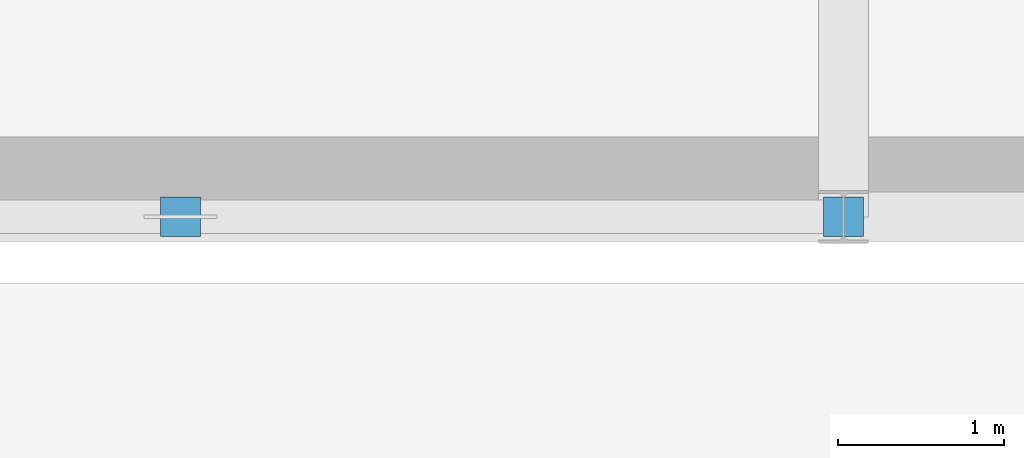
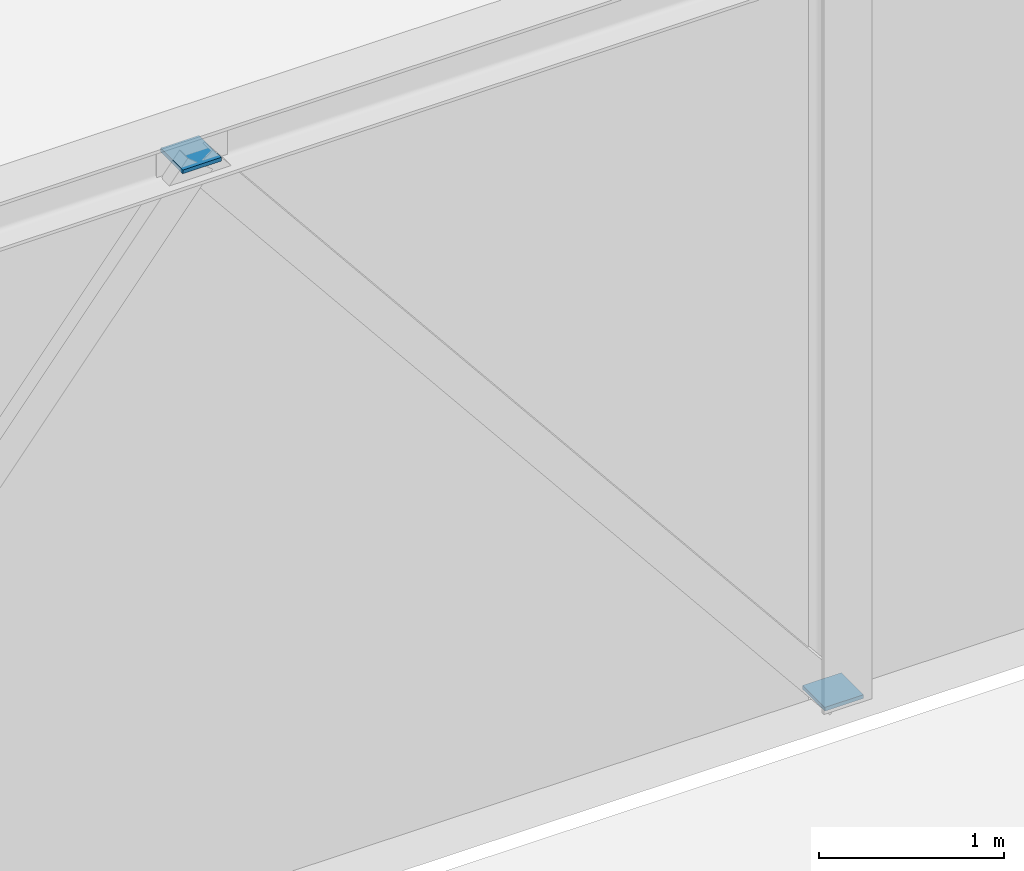
# One storey, part 107 of 129: 2 discrete accessories.
"""IFC4 building model written with IfcOpenShell, lengths in metres."""

import ifcopenshell
import ifcopenshell.guid

model = None  # the IFC model being written
_history = None  # IfcOwnerHistory: only IFC2X3 demands one
_inside = {}  # id of a spatial element -> (the spatial element, [elements in it])
_under = {}  # id of a project, library or spatial element -> (it, [spatial elements below it])
_declared = {}  # id of a project -> (the project, [libraries it declares])
_typed = {}  # id of a type object -> (the type object, [elements of that type])
_made_of = {}  # id of a material, layer set ... -> (it, [elements and type objects made of it])


def new_model(schema):
    """Start an empty IFC model of exactly this schema.

    Asked for "IFC4X3", IfcOpenShell would pick the latest addendum, in which some entities
    have other attributes; the version numbers below select the first issue.
    IFC2X3 requires an IfcOwnerHistory on every rooted entity: one is made here for all.
    """
    global model, _history
    if schema == "IFC4X3":
        model = ifcopenshell.file(schema_version=(4, 3, 0, 0))
    else:
        model = ifcopenshell.file(schema=schema)
    _inside.clear()
    _under.clear()
    _declared.clear()
    _typed.clear()
    _made_of.clear()
    _history = None
    if model.schema == "IFC2X3":
        org = make("IfcOrganization", Name="unknown")
        user = make(
            "IfcPersonAndOrganization",
            ThePerson=make("IfcPerson", FamilyName="unknown"),
            TheOrganization=org,
        )
        app = make(
            "IfcApplication",
            ApplicationDeveloper=org,
            Version="unknown",
            ApplicationFullName="unknown",
            ApplicationIdentifier="unknown",
        )
        _history = make(
            "IfcOwnerHistory",
            OwningUser=user,
            OwningApplication=app,
            ChangeAction="ADDED",
            CreationDate=0,
        )
    return model


def make(cls, **values):
    """One entity of the class cls with the attributes given. An attribute that is None is left unset."""
    return model.create_entity(
        cls, **{name: value for name, value in values.items() if value is not None}
    )


def rooted(cls, **values):
    """An entity with a GlobalId (a new one), such as an element, a storey or a relation."""
    return make(cls, GlobalId=ifcopenshell.guid.new(), OwnerHistory=_history, **values)


def si_unit(unit_type, name, prefix=None):
    """IfcSIUnit, for example si_unit("LENGTHUNIT", "METRE", prefix="MILLI")."""
    return make("IfcSIUnit", UnitType=unit_type, Prefix=prefix, Name=name)


def assignment(units):
    """IfcUnitAssignment: the units of a project."""
    return None if units is None else make("IfcUnitAssignment", Units=units)


def point(xyz):
    """IfcCartesianPoint."""
    return None if xyz is None else make("IfcCartesianPoint", Coordinates=xyz)


def direction(xyz):
    """IfcDirection."""
    return None if xyz is None else make("IfcDirection", DirectionRatios=xyz)


def frame(location, z_axis=None, x_axis=None):
    """IfcAxis2Placement3D, a coordinate frame: its origin and axes. An axis left out is left unset."""
    return make(
        "IfcAxis2Placement3D",
        Location=point(location),
        Axis=direction(z_axis),
        RefDirection=direction(x_axis),
    )


def frame_2d(location, x_axis=None):
    """IfcAxis2Placement2D, a coordinate frame in the plane: its origin and x axis."""
    return make(
        "IfcAxis2Placement2D", Location=point(location), RefDirection=direction(x_axis)
    )


def origin():
    """The frame at (0, 0, 0) with its axes left unset."""
    return frame((0.0, 0.0, 0.0))


def origin_2d():
    """The frame at (0, 0) in the plane with its x axis left unset."""
    return frame_2d((0.0, 0.0))


def place(relative_to, where):
    """IfcLocalPlacement: puts the frame where relative to a parent placement (None: the world)."""
    return make(
        "IfcLocalPlacement", PlacementRelTo=relative_to, RelativePlacement=where
    )


def context(
    kind, dimensions, precision=None, world=None, true_north=None, identifier=None
):
    """IfcGeometricRepresentationContext, for example the 3D "Model" context."""
    return make(
        "IfcGeometricRepresentationContext",
        ContextIdentifier=identifier,
        ContextType=kind,
        CoordinateSpaceDimension=dimensions,
        Precision=precision,
        WorldCoordinateSystem=world,
        TrueNorth=true_north,
    )


def subcontext(parent, identifier, kind, view, scale=None):
    """IfcGeometricRepresentationSubContext, for example "Body" below "Model"."""
    return make(
        "IfcGeometricRepresentationSubContext",
        ContextIdentifier=identifier,
        ContextType=kind,
        ParentContext=parent,
        TargetScale=scale,
        TargetView=view,
    )


def project(units=None, contexts=None):
    """IfcProject with its units and contexts."""
    return rooted(
        "IfcProject",
        Name="project",
        RepresentationContexts=contexts,
        UnitsInContext=assignment(units),
    )


def spatial(cls, under=None, at=None, **own):
    """A site, building, storey or space (cls), placed at a placement, below another one or the project."""
    s = rooted(cls, ObjectPlacement=at, **own)
    if under is not None:
        _under.setdefault(under.id(), (under, []))[1].append(s)
    return s


def profile(cls, at=None, kind="AREA", **sizes):
    """A parametric profile (cls). Its sizes go by their IFC names, for example OverallWidth=200.0."""
    return make(cls, ProfileType=kind, Position=at, **sizes)


def rectangle(**sizes):
    """IfcRectangleProfileDef."""
    return profile("IfcRectangleProfileDef", **sizes)


def extrude(swept, where, along, depth):
    """IfcExtrudedAreaSolid: the profile swept, set in the frame where, extruded along a direction by depth."""
    return make(
        "IfcExtrudedAreaSolid",
        SweptArea=swept,
        Position=where,
        ExtrudedDirection=direction(along),
        Depth=depth,
    )


def shape(context_of_items, identifier, shape_type, items):
    """IfcShapeRepresentation: the items that make up one representation, for example the "Body"."""
    return make(
        "IfcShapeRepresentation",
        ContextOfItems=context_of_items,
        RepresentationIdentifier=identifier,
        RepresentationType=shape_type,
        Items=items,
    )


def material(Name=None, Category=None):
    """IfcMaterial."""
    return make("IfcMaterial", Name=Name, Category=Category)


def made_of(thing, what):
    """Note that an element or type object is made of a material, layer set ...; save() writes the relation."""
    if what is not None:
        _made_of.setdefault(what.id(), (what, []))[1].append(thing)
    return thing


def type_object(cls, material=None, **own):
    """A type object (cls), such as IfcWallType, which elements share."""
    return made_of(rooted(cls, **own), material)


def element(
    cls,
    number,
    at=None,
    inside=None,
    cuts=None,
    type_object=None,
    material=None,
    context=None,
    identifier="Body",
    shape_type=None,
    held_by="IfcProductDefinitionShape",
    body=None,
    shapes=None,
    **own,
):
    """One element of the class cls, such as IfcWall. Its Tag is "e" and its number.

    at: its placement. inside: the storey or other place that contains it. cuts: it is an
    opening in that element (IfcRelVoidsElement). A single representation is given by context,
    identifier, shape_type and body (its items); several are given by shapes. held_by: the class
    of the entity that holds the representations. save() writes the other relations.
    """
    e = rooted(cls, Tag="e%d" % number, ObjectPlacement=at, **own)
    if body is not None:
        shapes = [shape(context, identifier, shape_type, body)]
    if shapes is not None:
        e.Representation = make(held_by, Representations=shapes)
    if inside is not None:
        _inside.setdefault(inside.id(), (inside, []))[1].append(e)
    if cuts is not None:
        rooted(
            "IfcRelVoidsElement", RelatingBuildingElement=cuts, RelatedOpeningElement=e
        )
    if type_object is not None:
        _typed.setdefault(type_object.id(), (type_object, []))[1].append(e)
    return made_of(e, material)


def aggregate(whole, parts):
    """IfcRelAggregates: a whole, such as a stair, and the parts it consists of."""
    return rooted("IfcRelAggregates", RelatingObject=whole, RelatedObjects=parts)


def save(model, path):
    """Write the relations noted so far, then the file.

    IfcRelAggregates (storeys below a building ...), IfcRelContainedInSpatialStructure (elements
    in a storey), IfcRelDefinesByType, IfcRelAssociatesMaterial and IfcRelDeclares: one each for
    every whole, place, type object, material and project.
    """
    for whole, parts in _under.values():
        aggregate(whole, parts)
    for where, things in _inside.values():
        rooted(
            "IfcRelContainedInSpatialStructure",
            RelatedElements=things,
            RelatingStructure=where,
        )
    for kind, things in _typed.values():
        rooted("IfcRelDefinesByType", RelatedObjects=things, RelatingType=kind)
    for what, things in _made_of.values():
        rooted("IfcRelAssociatesMaterial", RelatedObjects=things, RelatingMaterial=what)
    for by, libraries in _declared.values():
        rooted("IfcRelDeclares", RelatingContext=by, RelatedDefinitions=libraries)
    model.write(path)


model = new_model("IFC4")

# Units and contexts
model_context = context("Model", 3, precision=1e-05, world=origin(), true_north=direction((0.0, 1.0)))
body_context = subcontext(model_context, "Body", "Model", "MODEL_VIEW")
ifc_project = project(units=[si_unit("LENGTHUNIT", "METRE"), si_unit("AREAUNIT", "SQUARE_METRE"), si_unit("VOLUMEUNIT", "CUBIC_METRE"), si_unit("PLANEANGLEUNIT", "RADIAN"), si_unit("MASSUNIT", "GRAM", prefix="KILO")], contexts=[model_context])

# Site, building, storey
site_placement = place(None, origin())
site = spatial("IfcSite", under=ifc_project, at=site_placement, CompositionType="ELEMENT")
building_placement = place(site_placement, origin())
building = spatial("IfcBuilding", under=site, at=building_placement, Name="Sundkrona Museum", CompositionType="ELEMENT")
storey_placement = place(building_placement, origin())
storey = spatial("IfcBuildingStorey", under=building, at=storey_placement, Name="L00", CompositionType="ELEMENT", Elevation=0.0)

# Discrete accessories
ifc_material = material(Name="Stainless Steel EN 1.4404 Cleat", Category="steel")
discrete_accessory_type = type_object("IfcDiscreteAccessoryType", Name="BRK-FIN-01", PredefinedType="BRACKET", material=ifc_material)
for number, where, z_axis, x_axis, name in (
    (1, (68.0, 78.0, 4.927490234375), (0.0, 0.0, 1.0), (1.0, 0.0, 0.0), "Brace and Strut End Connection Plate BR-L00-019A-2"),
    (2, (72.0, 78.0, -0.012451171875), (0.0, 0.0, 1.0), (1.0, 0.0, 0.0), "Brace and Strut End Connection Plate BR-L00-019B-1"),
):
    element("IfcDiscreteAccessory", number, at=place(storey_placement, frame(where, z_axis=z_axis, x_axis=x_axis)), inside=storey, type_object=discrete_accessory_type, Name=name, PredefinedType="BRACKET", context=body_context, shape_type="SweptSolid", body=[
        extrude(rectangle(XDim=0.239990234375, YDim=0.239990234375, at=origin_2d()), origin(), (0.0, 0.0, 1.0), 0.02490234375),
    ])

save(model, "model.ifc")
